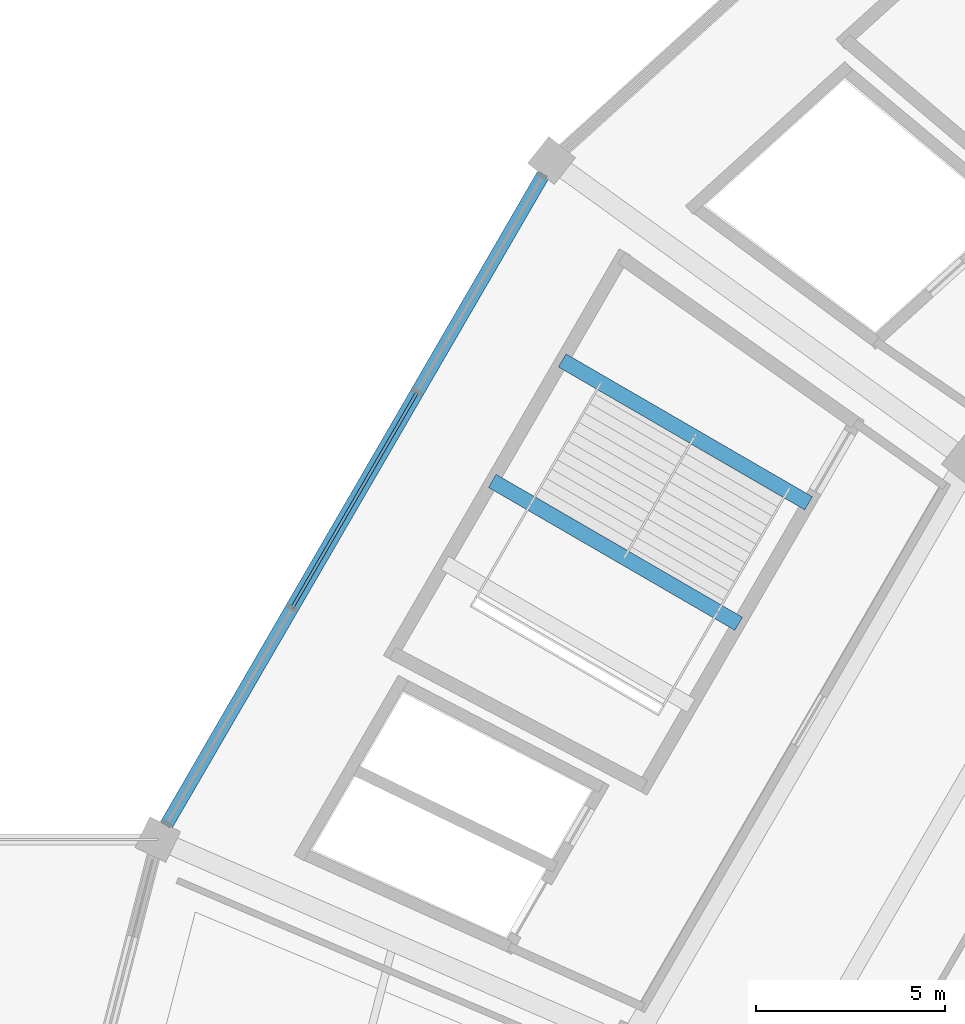
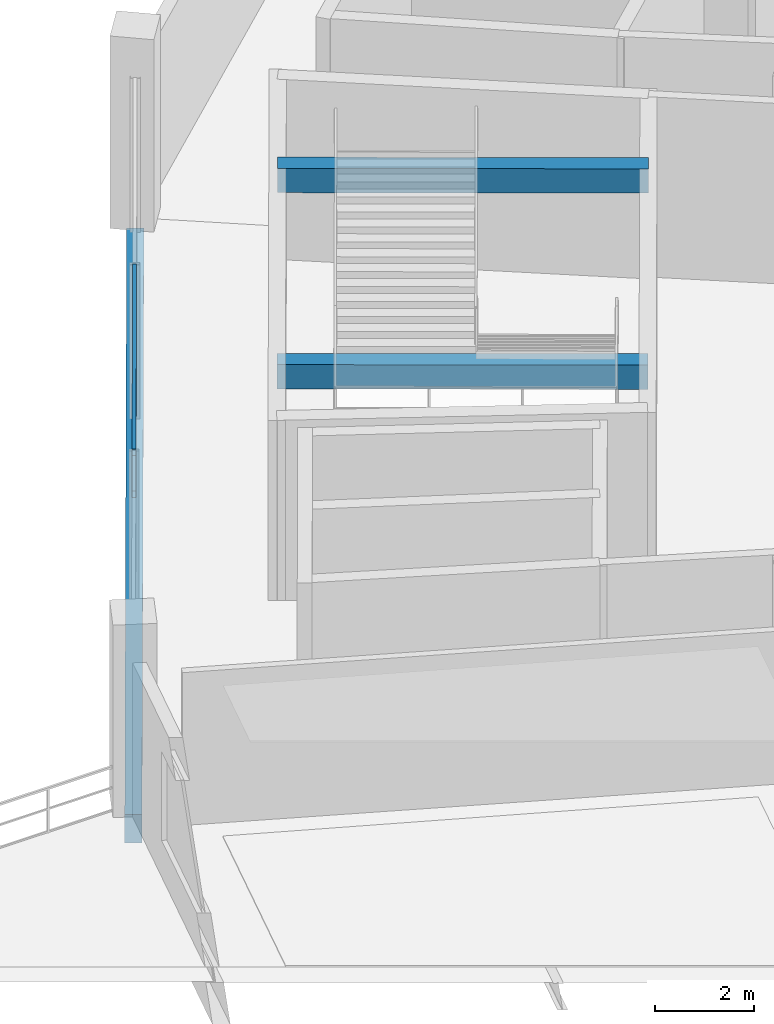
# One storey, part 76 of 171: 3 beams, 2 members, 1 element without a shape of its own.
"""IFC4 building model written with IfcOpenShell, lengths in metres."""

from ifc_helpers import new_model, si_unit, direction, frame, origin, origin_2d, place, context, subcontext, project, spatial, rectangle, hollow_rectangle, extrude, material, layer, layer_set, material_profile, profile_set, type_object, element, aggregate, save


model = new_model("IFC4")

# Units and contexts
model_context = context("Model", 3, precision=1e-05, world=origin(), true_north=direction((0.0, 1.0)))
body_context = subcontext(model_context, "Body", "Model", "MODEL_VIEW")
ifc_project = project(units=[si_unit("LENGTHUNIT", "METRE"), si_unit("AREAUNIT", "SQUARE_METRE"), si_unit("VOLUMEUNIT", "CUBIC_METRE"), si_unit("PLANEANGLEUNIT", "RADIAN"), si_unit("MASSUNIT", "GRAM", prefix="KILO")], contexts=[model_context])

# Site, building, storey
site_placement = place(None, origin())
site = spatial("IfcSite", under=ifc_project, at=site_placement, CompositionType="ELEMENT")
building_placement = place(site_placement, origin())
building = spatial("IfcBuilding", under=site, at=building_placement, Name="Kazemori Nagisa Stadium", CompositionType="ELEMENT")
storey_placement = place(building_placement, frame((0.0, 0.0, 15.639892578125)))
storey = spatial("IfcBuildingStorey", under=building, at=storey_placement, Name="L03", CompositionType="ELEMENT", Elevation=15.639892578125)

# Beams
ifc_material_1 = material(Name="Concrete C40/50 (Fc42)", Category="concrete")
ifc_material_profile_1 = material_profile(ifc_material_1, rectangle(XDim=0.39990234375, YDim=0.60009765625, at=origin_2d()), Name="RC-BM-400x600")
ifc_profile_set_1 = profile_set([ifc_material_profile_1], Name="Concrete C40/50 (Fc42)")
beam_type_1 = type_object("IfcBeamType", Name="Beam_BG-LND400X600", PredefinedType="BEAM", material=ifc_profile_set_1)
beam_1_placement = place(storey_placement, frame((49.4423828125, 146.442626953125, 1.880126953125), z_axis=(-0.865094639125, 0.501608677514, 0.0), x_axis=(-0.501608677514, -0.865094639125, 0.0)))
element("IfcBeam", 1, at=beam_1_placement, inside=storey, type_object=beam_type_1, Name="Core stair mid-landing girder ST08-L03-1", PredefinedType="BEAM", context=body_context, shape_type="SweptSolid", body=[
    extrude(rectangle(XDim=0.39990234375, YDim=0.60009765625, at=origin_2d()), origin(), (0.0, 0.0, 1.0), 7.513916015625),
])
beam_2_placement = place(storey_placement, frame((51.28564453125, 149.621826171875, 4.16015625), z_axis=(-0.865086463473, 0.50162277731, 0.0), x_axis=(-0.50162277731, -0.865086463473, 0.0)))
element("IfcBeam", 2, at=beam_2_placement, inside=storey, type_object=beam_type_1, Name="Core stair arrival header girder ST08-L03", PredefinedType="BEAM", context=body_context, shape_type="SweptSolid", body=[
    extrude(rectangle(XDim=0.39990234375, YDim=0.60009765625, at=origin_2d()), origin(), (0.0, 0.0, 1.0), 7.513671875),
])
ifc_material_profile_2 = material_profile(ifc_material_1, rectangle(XDim=0.35009765625, YDim=0.699951171875, at=origin_2d()), Name="RC-SP-350x700")
ifc_profile_set_2 = profile_set([ifc_material_profile_2], Name="Concrete C40/50 (Fc42)")
beam_type_2 = type_object("IfcBeamType", Name="Beam_BS-RC350X700", PredefinedType="SPANDREL", material=ifc_profile_set_2)
beam_3_placement = place(storey_placement, frame((44.504638671875, 158.667724609375, -0.60986328125), z_axis=(-0.50161277459, -0.8650922635, 0.0), x_axis=(0.8650922635, -0.50161277459, 0.0)))
element("IfcBeam", 3, at=beam_3_placement, inside=storey, type_object=beam_type_2, Name="Ring girder BS-RC350X700 L03 R3-12", PredefinedType="SPANDREL", context=body_context, shape_type="SweptSolid", body=[
    extrude(rectangle(XDim=0.35009765625, YDim=0.699951171875, at=origin_2d()), origin(), (0.0, 0.0, 1.0), 20.71240234375),
])

# Curtain wall, members
ifc_material_2 = material(Name="Anodised aluminium 6063-T5", Category="aluminium")
ifc_layer = layer(ifc_material_2, 0.2099609375, Name="Anodised aluminium 6063-T5", Category="aluminium")
ifc_layer_set = layer_set([ifc_layer], Name="Anodised aluminium 6063-T5")
curtain_wall_type = type_object("IfcCurtainWallType", Name="CW_L03R3_99", PredefinedType="USERDEFINED", material=ifc_layer_set)
curtain_wall_placement = place(storey_placement, origin())
curtain_wall = element("IfcCurtainWall", 4, at=curtain_wall_placement, inside=storey, type_object=curtain_wall_type, Name="Unitised curtain wall CW-L03R3-99 L03", ObjectType="UNITISED CURTAIN WALL", PredefinedType="USERDEFINED")
ifc_material_3 = material(Name="Aluminium 6063-T5 anodised", Category="aluminium")
ifc_material_profile_3 = material_profile(ifc_material_3, hollow_rectangle(XDim=0.080078125, YDim=0.159912109375, WallThickness=0.00390625, at=origin_2d()), Name="ALU-TRAN-80x160x4")
ifc_profile_set_3 = profile_set([ifc_material_profile_3], Name="Aluminium 6063-T5 anodised")
member_type = type_object("IfcMemberType", Name="Transom_T02", PredefinedType="USERDEFINED", material=ifc_profile_set_3)
member_1_placement = place(storey_placement, frame((40.951904296875, 152.540771484375, 2.705322265625), z_axis=(-0.501590295943, -0.865105297069, 0.0), x_axis=(0.865105297069, -0.501590295943, 0.0)))
member_1 = element("IfcMember", 5, at=member_1_placement, type_object=member_type, Name="Curtain wall transom CW-L03R3-99-T2-mid", ObjectType="TRANSOM", PredefinedType="USERDEFINED", context=body_context, shape_type="SweptSolid", body=[
    extrude(hollow_rectangle(XDim=0.080078125, YDim=0.159912109375, WallThickness=0.00390625, at=origin_2d()), origin(), (0.0, 0.0, 1.0), 6.547607421875),
])
member_2_placement = place(storey_placement, frame((40.951904296875, 152.540771484375, 3.739990234375), z_axis=(-0.501590295943, -0.865105297069, 0.0), x_axis=(0.865105297069, -0.501590295943, 0.0)))
member_2 = element("IfcMember", 6, at=member_2_placement, type_object=member_type, Name="Curtain wall transom CW-L03R3-99-T2-head", ObjectType="TRANSOM", PredefinedType="USERDEFINED", context=body_context, shape_type="SweptSolid", body=[
    extrude(hollow_rectangle(XDim=0.080078125, YDim=0.159912109375, WallThickness=0.00390625, at=origin_2d()), origin(), (0.0, 0.0, 1.0), 6.547607421875),
])
aggregate(curtain_wall, [member_1, member_2])

save(model, "model.ifc")
